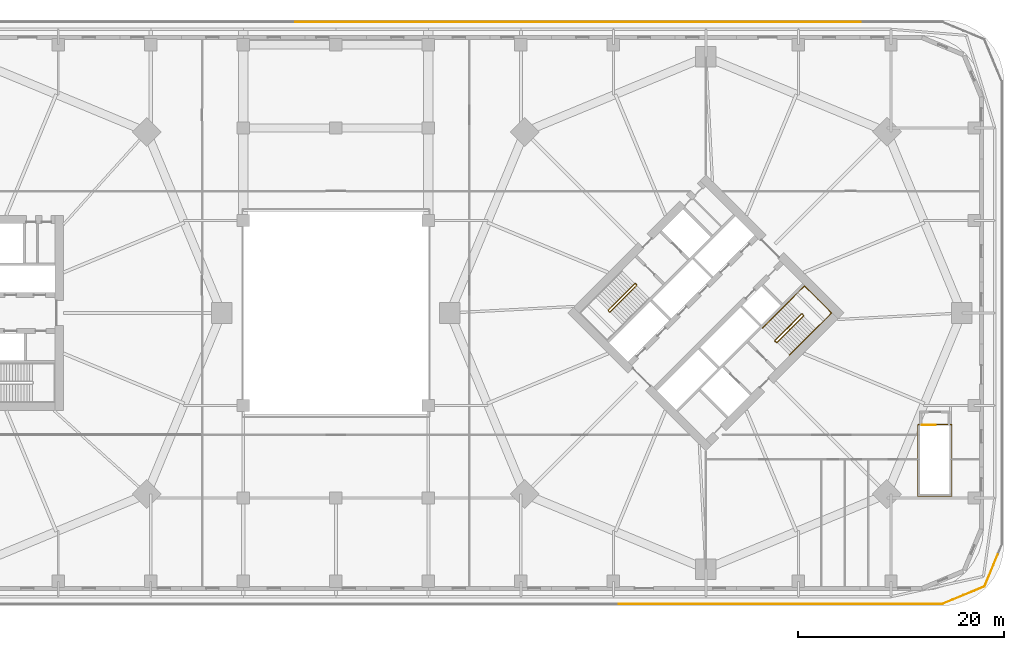
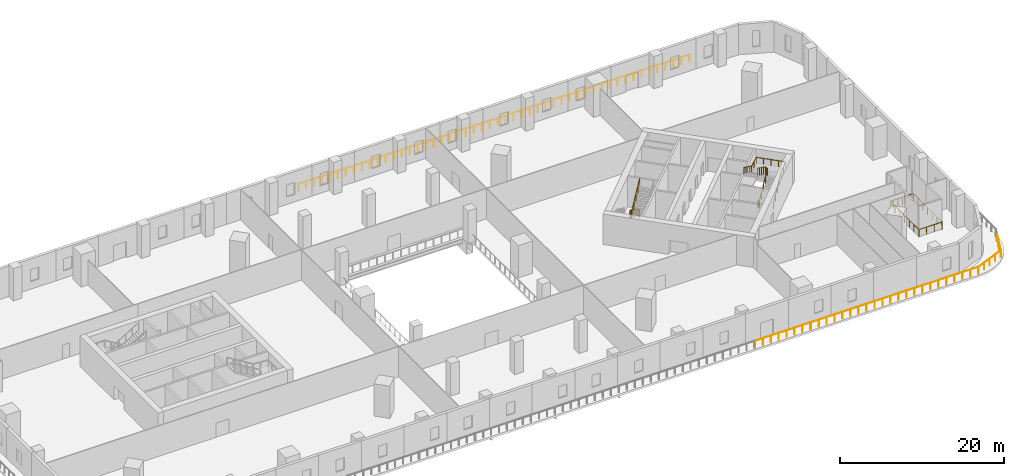
# One storey, part 15 of 16: 17 railings.
"""IFC4 building model written with IfcOpenShell, lengths in metres."""

from ifc_helpers import new_model, si_unit, direction, frame, origin, origin_2d, place, context, subcontext, project, spatial, circle, extrude, material, type_object, element, save


model = new_model("IFC4")

# Units and contexts
model_context = context("Model", 3, precision=1e-05, world=origin(), true_north=direction((0.0, 1.0)))
body_context = subcontext(model_context, "Body", "Model", "MODEL_VIEW")
ifc_project = project(units=[si_unit("LENGTHUNIT", "METRE"), si_unit("AREAUNIT", "SQUARE_METRE"), si_unit("VOLUMEUNIT", "CUBIC_METRE"), si_unit("PLANEANGLEUNIT", "RADIAN"), si_unit("MASSUNIT", "GRAM", prefix="KILO")], contexts=[model_context])

# Site, building, storey
site_placement = place(None, origin())
site = spatial("IfcSite", under=ifc_project, at=site_placement, CompositionType="ELEMENT")
building_placement = place(site_placement, origin())
building = spatial("IfcBuilding", under=site, at=building_placement, Name="Ogive Gate Towers", CompositionType="ELEMENT")
storey_placement = place(building_placement, frame((0.0, 0.0, 22.800048828125)))
storey = spatial("IfcBuildingStorey", under=building, at=storey_placement, Name="L04", CompositionType="ELEMENT", Elevation=22.800048828125)

# Railings
ifc_material_1 = material(Name="Stainless steel", Category="steel")
railing_type_1 = type_object("IfcRailingType", Name="Guard 1100", PredefinedType="GUARDRAIL", material=ifc_material_1)
railing_1_placement = place(storey_placement, frame((59.0, -28.300048828125, 0.0)))
element("IfcRailing", 1, at=railing_1_placement, inside=storey, type_object=railing_type_1, Name="Terrace guard", PredefinedType="GUARDRAIL", context=body_context, shape_type="SweptSolid", body=[
    extrude(circle(Radius=0.02392578125, at=origin_2d()), frame((0.0, 0.0, 1.076171875), z_axis=(0.923886797369, 0.382665892976, 0.0), x_axis=(-0.382665892976, 0.923886797369, 0.0)), (0.0, 0.0, 1.0), 4.439208984375),
    extrude(circle(Radius=0.02392578125, at=origin_2d()), frame((4.101318359375, 1.69873046875, 1.076171875), z_axis=(0.382654643892, 0.923891456562, 0.0), x_axis=(-0.923891456562, 0.382654643892, 0.0)), (0.0, 0.0, 1.0), 3.3701171875),
    extrude(circle(Radius=0.02099609375, at=origin_2d()), origin(), (0.0, 0.0, 1.0), 1.052001953125),
    extrude(circle(Radius=0.02099609375, at=origin_2d()), frame((1.025390625, 0.4248046875, 0.0)), (0.0, 0.0, 1.0), 1.052001953125),
    extrude(circle(Radius=0.02099609375, at=origin_2d()), frame((2.05078125, 0.849365234375, 0.0)), (0.0, 0.0, 1.0), 1.052001953125),
    extrude(circle(Radius=0.02099609375, at=origin_2d()), frame((3.075927734375, 1.27392578125, 0.0)), (0.0, 0.0, 1.0), 1.052001953125),
    extrude(circle(Radius=0.02099609375, at=origin_2d()), frame((4.101318359375, 1.69873046875, 0.0)), (0.0, 0.0, 1.0), 1.052001953125),
    extrude(circle(Radius=0.02099609375, at=origin_2d()), frame((4.53125, 2.736572265625, 0.0)), (0.0, 0.0, 1.0), 1.052001953125),
    extrude(circle(Radius=0.02099609375, at=origin_2d()), frame((4.9609375, 3.7744140625, 0.0)), (0.0, 0.0, 1.0), 1.052001953125),
    extrude(circle(Radius=0.02099609375, at=origin_2d()), frame((5.390869140625, 4.812255859375, 0.0)), (0.0, 0.0, 1.0), 1.052001953125),
])
railing_2_placement = place(storey_placement, frame((51.025634765625, 28.300048828125, 0.0)))
element("IfcRailing", 2, at=railing_2_placement, inside=storey, type_object=railing_type_1, Name="Terrace guard", PredefinedType="GUARDRAIL", context=body_context, shape_type="SweptSolid", body=[
    extrude(circle(Radius=0.02392578125, at=origin_2d()), frame((0.0, 0.0, 1.076171875), z_axis=(-1.0, 0.0, 0.0), x_axis=(0.0, -1.0, 0.0)), (0.0, 0.0, 1.0), 7.808837890625),
    extrude(circle(Radius=0.02099609375, at=origin_2d()), origin(), (0.0, 0.0, 1.0), 1.052001953125),
    extrude(circle(Radius=0.02099609375, at=origin_2d()), frame((-1.115478515625, 0.0, 0.0)), (0.0, 0.0, 1.0), 1.052001953125),
    extrude(circle(Radius=0.02099609375, at=origin_2d()), frame((-2.231201171875, 0.0, 0.0)), (0.0, 0.0, 1.0), 1.052001953125),
    extrude(circle(Radius=0.02099609375, at=origin_2d()), frame((-3.3466796875, 0.0, 0.0)), (0.0, 0.0, 1.0), 1.052001953125),
    extrude(circle(Radius=0.02099609375, at=origin_2d()), frame((-4.462158203125, 0.0, 0.0)), (0.0, 0.0, 1.0), 1.052001953125),
    extrude(circle(Radius=0.02099609375, at=origin_2d()), frame((-5.57763671875, 0.0, 0.0)), (0.0, 0.0, 1.0), 1.052001953125),
    extrude(circle(Radius=0.02099609375, at=origin_2d()), frame((-6.693359375, 0.0, 0.0)), (0.0, 0.0, 1.0), 1.052001953125),
    extrude(circle(Radius=0.02099609375, at=origin_2d()), frame((-7.808837890625, 0.0, 0.0)), (0.0, 0.0, 1.0), 1.052001953125),
])
railing_3_placement = place(storey_placement, frame((43.166748046875, 28.300048828125, 0.0)))
element("IfcRailing", 3, at=railing_3_placement, inside=storey, type_object=railing_type_1, Name="Terrace guard", PredefinedType="GUARDRAIL", context=body_context, shape_type="SweptSolid", body=[
    extrude(circle(Radius=0.02392578125, at=origin_2d()), frame((0.0, 0.0, 1.076171875), z_axis=(-1.0, 0.0, 0.0), x_axis=(0.0, -1.0, 0.0)), (0.0, 0.0, 1.0), 7.80908203125),
    extrude(circle(Radius=0.02099609375, at=origin_2d()), origin(), (0.0, 0.0, 1.0), 1.052001953125),
    extrude(circle(Radius=0.02099609375, at=origin_2d()), frame((-1.115478515625, 0.0, 0.0)), (0.0, 0.0, 1.0), 1.052001953125),
    extrude(circle(Radius=0.02099609375, at=origin_2d()), frame((-2.231201171875, 0.0, 0.0)), (0.0, 0.0, 1.0), 1.052001953125),
    extrude(circle(Radius=0.02099609375, at=origin_2d()), frame((-3.3466796875, 0.0, 0.0)), (0.0, 0.0, 1.0), 1.052001953125),
    extrude(circle(Radius=0.02099609375, at=origin_2d()), frame((-4.46240234375, 0.0, 0.0)), (0.0, 0.0, 1.0), 1.052001953125),
    extrude(circle(Radius=0.02099609375, at=origin_2d()), frame((-5.577880859375, 0.0, 0.0)), (0.0, 0.0, 1.0), 1.052001953125),
    extrude(circle(Radius=0.02099609375, at=origin_2d()), frame((-6.693603515625, 0.0, 0.0)), (0.0, 0.0, 1.0), 1.052001953125),
    extrude(circle(Radius=0.02099609375, at=origin_2d()), frame((-7.80908203125, 0.0, 0.0)), (0.0, 0.0, 1.0), 1.052001953125),
])
for number, where, name in (
    (4, (35.3076171875, 28.300048828125, 0.0), "Terrace guard"),
    (5, (27.44873046875, 28.300048828125, 0.0), "Terrace guard"),
):
    element("IfcRailing", number, at=place(storey_placement, frame(where)), inside=storey, type_object=railing_type_1, Name=name, PredefinedType="GUARDRAIL", context=body_context, shape_type="SweptSolid", body=[
        extrude(circle(Radius=0.02392578125, at=origin_2d()), frame((0.0, 0.0, 1.076171875), z_axis=(-1.0, 0.0, 0.0), x_axis=(0.0, -1.0, 0.0)), (0.0, 0.0, 1.0), 7.808837890625),
        extrude(circle(Radius=0.02099609375, at=origin_2d()), origin(), (0.0, 0.0, 1.0), 1.052001953125),
        extrude(circle(Radius=0.02099609375, at=origin_2d()), frame((-1.115478515625, 0.0, 0.0)), (0.0, 0.0, 1.0), 1.052001953125),
        extrude(circle(Radius=0.02099609375, at=origin_2d()), frame((-2.231201171875, 0.0, 0.0)), (0.0, 0.0, 1.0), 1.052001953125),
        extrude(circle(Radius=0.02099609375, at=origin_2d()), frame((-3.3466796875, 0.0, 0.0)), (0.0, 0.0, 1.0), 1.052001953125),
        extrude(circle(Radius=0.02099609375, at=origin_2d()), frame((-4.462158203125, 0.0, 0.0)), (0.0, 0.0, 1.0), 1.052001953125),
        extrude(circle(Radius=0.02099609375, at=origin_2d()), frame((-5.57763671875, 0.0, 0.0)), (0.0, 0.0, 1.0), 1.052001953125),
        extrude(circle(Radius=0.02099609375, at=origin_2d()), frame((-6.693359375, 0.0, 0.0)), (0.0, 0.0, 1.0), 1.052001953125),
        extrude(circle(Radius=0.02099609375, at=origin_2d()), frame((-7.808837890625, 0.0, 0.0)), (0.0, 0.0, 1.0), 1.052001953125),
    ])
railing_4_placement = place(storey_placement, frame((19.58984375, 28.300048828125, 0.0)))
element("IfcRailing", 6, at=railing_4_placement, inside=storey, type_object=railing_type_1, Name="Terrace guard", PredefinedType="GUARDRAIL", context=body_context, shape_type="SweptSolid", body=[
    extrude(circle(Radius=0.02392578125, at=origin_2d()), frame((0.0, 0.0, 1.076171875), z_axis=(-1.0, 0.0, 0.0), x_axis=(0.0, -1.0, 0.0)), (0.0, 0.0, 1.0), 7.80908203125),
    extrude(circle(Radius=0.02099609375, at=origin_2d()), origin(), (0.0, 0.0, 1.0), 1.052001953125),
    extrude(circle(Radius=0.02099609375, at=origin_2d()), frame((-1.115478515625, 0.0, 0.0)), (0.0, 0.0, 1.0), 1.052001953125),
    extrude(circle(Radius=0.02099609375, at=origin_2d()), frame((-2.231201171875, 0.0, 0.0)), (0.0, 0.0, 1.0), 1.052001953125),
    extrude(circle(Radius=0.02099609375, at=origin_2d()), frame((-3.3466796875, 0.0, 0.0)), (0.0, 0.0, 1.0), 1.052001953125),
    extrude(circle(Radius=0.02099609375, at=origin_2d()), frame((-4.46240234375, 0.0, 0.0)), (0.0, 0.0, 1.0), 1.052001953125),
    extrude(circle(Radius=0.02099609375, at=origin_2d()), frame((-5.577880859375, 0.0, 0.0)), (0.0, 0.0, 1.0), 1.052001953125),
    extrude(circle(Radius=0.02099609375, at=origin_2d()), frame((-6.693603515625, 0.0, 0.0)), (0.0, 0.0, 1.0), 1.052001953125),
    extrude(circle(Radius=0.02099609375, at=origin_2d()), frame((-7.80908203125, 0.0, 0.0)), (0.0, 0.0, 1.0), 1.052001953125),
])
railing_5_placement = place(storey_placement, frame((11.730712890625, 28.300048828125, 0.0)))
element("IfcRailing", 7, at=railing_5_placement, inside=storey, type_object=railing_type_1, Name="Terrace guard", PredefinedType="GUARDRAIL", context=body_context, shape_type="SweptSolid", body=[
    extrude(circle(Radius=0.02392578125, at=origin_2d()), frame((0.0, 0.0, 1.076171875), z_axis=(-1.0, 0.0, 0.0), x_axis=(0.0, -1.0, 0.0)), (0.0, 0.0, 1.0), 7.808837890625),
    extrude(circle(Radius=0.02099609375, at=origin_2d()), origin(), (0.0, 0.0, 1.0), 1.052001953125),
    extrude(circle(Radius=0.02099609375, at=origin_2d()), frame((-1.115478515625, 0.0, 0.0)), (0.0, 0.0, 1.0), 1.052001953125),
    extrude(circle(Radius=0.02099609375, at=origin_2d()), frame((-2.231201171875, 0.0, 0.0)), (0.0, 0.0, 1.0), 1.052001953125),
    extrude(circle(Radius=0.02099609375, at=origin_2d()), frame((-3.3466796875, 0.0, 0.0)), (0.0, 0.0, 1.0), 1.052001953125),
    extrude(circle(Radius=0.02099609375, at=origin_2d()), frame((-4.462158203125, 0.0, 0.0)), (0.0, 0.0, 1.0), 1.052001953125),
    extrude(circle(Radius=0.02099609375, at=origin_2d()), frame((-5.57763671875, 0.0, 0.0)), (0.0, 0.0, 1.0), 1.052001953125),
    extrude(circle(Radius=0.02099609375, at=origin_2d()), frame((-6.693359375, 0.0, 0.0)), (0.0, 0.0, 1.0), 1.052001953125),
    extrude(circle(Radius=0.02099609375, at=origin_2d()), frame((-7.808837890625, 0.0, 0.0)), (0.0, 0.0, 1.0), 1.052001953125),
])
railing_6_placement = place(storey_placement, frame((3.871826171875, 28.300048828125, 0.0)))
element("IfcRailing", 8, at=railing_6_placement, inside=storey, type_object=railing_type_1, Name="Terrace guard", PredefinedType="GUARDRAIL", context=body_context, shape_type="SweptSolid", body=[
    extrude(circle(Radius=0.02392578125, at=origin_2d()), frame((0.0, 0.0, 1.076171875), z_axis=(-1.0, 0.0, 0.0), x_axis=(0.0, -1.0, 0.0)), (0.0, 0.0, 1.0), 7.80908203125),
    extrude(circle(Radius=0.02099609375, at=origin_2d()), origin(), (0.0, 0.0, 1.0), 1.052001953125),
    extrude(circle(Radius=0.02099609375, at=origin_2d()), frame((-1.115478515625, 0.0, 0.0)), (0.0, 0.0, 1.0), 1.052001953125),
    extrude(circle(Radius=0.02099609375, at=origin_2d()), frame((-2.231201171875, 0.0, 0.0)), (0.0, 0.0, 1.0), 1.052001953125),
    extrude(circle(Radius=0.02099609375, at=origin_2d()), frame((-3.3466796875, 0.0, 0.0)), (0.0, 0.0, 1.0), 1.052001953125),
    extrude(circle(Radius=0.02099609375, at=origin_2d()), frame((-4.46240234375, 0.0, 0.0)), (0.0, 0.0, 1.0), 1.052001953125),
    extrude(circle(Radius=0.02099609375, at=origin_2d()), frame((-5.577880859375, 0.0, 0.0)), (0.0, 0.0, 1.0), 1.052001953125),
    extrude(circle(Radius=0.02099609375, at=origin_2d()), frame((-6.693603515625, 0.0, 0.0)), (0.0, 0.0, 1.0), 1.052001953125),
    extrude(circle(Radius=0.02099609375, at=origin_2d()), frame((-7.80908203125, 0.0, 0.0)), (0.0, 0.0, 1.0), 1.052001953125),
])
for number, where, name in (
    (9, (27.564208984375, -28.300048828125, 0.0), "Terrace guard"),
    (10, (35.423095703125, -28.300048828125, 0.0), "Terrace guard"),
):
    element("IfcRailing", number, at=place(storey_placement, frame(where)), inside=storey, type_object=railing_type_1, Name=name, PredefinedType="GUARDRAIL", context=body_context, shape_type="SweptSolid", body=[
        extrude(circle(Radius=0.02392578125, at=origin_2d()), frame((0.0, 0.0, 1.076171875), z_axis=(1.0, 0.0, 0.0), x_axis=(0.0, 1.0, 0.0)), (0.0, 0.0, 1.0), 7.808837890625),
        extrude(circle(Radius=0.02099609375, at=origin_2d()), origin(), (0.0, 0.0, 1.0), 1.052001953125),
        extrude(circle(Radius=0.02099609375, at=origin_2d()), frame((1.115478515625, 0.0, 0.0)), (0.0, 0.0, 1.0), 1.052001953125),
        extrude(circle(Radius=0.02099609375, at=origin_2d()), frame((2.231201171875, 0.0, 0.0)), (0.0, 0.0, 1.0), 1.052001953125),
        extrude(circle(Radius=0.02099609375, at=origin_2d()), frame((3.3466796875, 0.0, 0.0)), (0.0, 0.0, 1.0), 1.052001953125),
        extrude(circle(Radius=0.02099609375, at=origin_2d()), frame((4.462158203125, 0.0, 0.0)), (0.0, 0.0, 1.0), 1.052001953125),
        extrude(circle(Radius=0.02099609375, at=origin_2d()), frame((5.57763671875, 0.0, 0.0)), (0.0, 0.0, 1.0), 1.052001953125),
        extrude(circle(Radius=0.02099609375, at=origin_2d()), frame((6.693359375, 0.0, 0.0)), (0.0, 0.0, 1.0), 1.052001953125),
        extrude(circle(Radius=0.02099609375, at=origin_2d()), frame((7.808837890625, 0.0, 0.0)), (0.0, 0.0, 1.0), 1.052001953125),
    ])
railing_7_placement = place(storey_placement, frame((43.281982421875, -28.300048828125, 0.0)))
element("IfcRailing", 11, at=railing_7_placement, inside=storey, type_object=railing_type_1, Name="Terrace guard", PredefinedType="GUARDRAIL", context=body_context, shape_type="SweptSolid", body=[
    extrude(circle(Radius=0.02392578125, at=origin_2d()), frame((0.0, 0.0, 1.076171875), z_axis=(1.0, 0.0, 0.0), x_axis=(0.0, 1.0, 0.0)), (0.0, 0.0, 1.0), 7.80908203125),
    extrude(circle(Radius=0.02099609375, at=origin_2d()), origin(), (0.0, 0.0, 1.0), 1.052001953125),
    extrude(circle(Radius=0.02099609375, at=origin_2d()), frame((1.115478515625, 0.0, 0.0)), (0.0, 0.0, 1.0), 1.052001953125),
    extrude(circle(Radius=0.02099609375, at=origin_2d()), frame((2.231201171875, 0.0, 0.0)), (0.0, 0.0, 1.0), 1.052001953125),
    extrude(circle(Radius=0.02099609375, at=origin_2d()), frame((3.3466796875, 0.0, 0.0)), (0.0, 0.0, 1.0), 1.052001953125),
    extrude(circle(Radius=0.02099609375, at=origin_2d()), frame((4.46240234375, 0.0, 0.0)), (0.0, 0.0, 1.0), 1.052001953125),
    extrude(circle(Radius=0.02099609375, at=origin_2d()), frame((5.577880859375, 0.0, 0.0)), (0.0, 0.0, 1.0), 1.052001953125),
    extrude(circle(Radius=0.02099609375, at=origin_2d()), frame((6.693603515625, 0.0, 0.0)), (0.0, 0.0, 1.0), 1.052001953125),
    extrude(circle(Radius=0.02099609375, at=origin_2d()), frame((7.80908203125, 0.0, 0.0)), (0.0, 0.0, 1.0), 1.052001953125),
])
railing_8_placement = place(storey_placement, frame((51.14111328125, -28.300048828125, 0.0)))
element("IfcRailing", 12, at=railing_8_placement, inside=storey, type_object=railing_type_1, Name="Terrace guard", PredefinedType="GUARDRAIL", context=body_context, shape_type="SweptSolid", body=[
    extrude(circle(Radius=0.02392578125, at=origin_2d()), frame((0.0, 0.0, 1.076171875), z_axis=(1.0, 0.0, 0.0), x_axis=(0.0, 1.0, 0.0)), (0.0, 0.0, 1.0), 7.808837890625),
    extrude(circle(Radius=0.02099609375, at=origin_2d()), origin(), (0.0, 0.0, 1.0), 1.052001953125),
    extrude(circle(Radius=0.02099609375, at=origin_2d()), frame((1.115478515625, 0.0, 0.0)), (0.0, 0.0, 1.0), 1.052001953125),
    extrude(circle(Radius=0.02099609375, at=origin_2d()), frame((2.231201171875, 0.0, 0.0)), (0.0, 0.0, 1.0), 1.052001953125),
    extrude(circle(Radius=0.02099609375, at=origin_2d()), frame((3.3466796875, 0.0, 0.0)), (0.0, 0.0, 1.0), 1.052001953125),
    extrude(circle(Radius=0.02099609375, at=origin_2d()), frame((4.462158203125, 0.0, 0.0)), (0.0, 0.0, 1.0), 1.052001953125),
    extrude(circle(Radius=0.02099609375, at=origin_2d()), frame((5.57763671875, 0.0, 0.0)), (0.0, 0.0, 1.0), 1.052001953125),
    extrude(circle(Radius=0.02099609375, at=origin_2d()), frame((6.693359375, 0.0, 0.0)), (0.0, 0.0, 1.0), 1.052001953125),
    extrude(circle(Radius=0.02099609375, at=origin_2d()), frame((7.808837890625, 0.0, 0.0)), (0.0, 0.0, 1.0), 1.052001953125),
])
ifc_material_2 = material(Name="Steel and glass guard", Category="steel")
railing_type_2 = type_object("IfcRailingType", Name="Podium stair guard 1100", PredefinedType="GUARDRAIL", material=ifc_material_2)
railing_9_placement = place(storey_placement, frame((57.0, -10.89990234375, 0.0)))
element("IfcRailing", 13, at=railing_9_placement, inside=storey, type_object=railing_type_2, Name="L04 PS2 top well guard 1", PredefinedType="GUARDRAIL", context=body_context, shape_type="SweptSolid", body=[
    extrude(circle(Radius=0.02392578125, at=origin_2d()), frame((0.0, 0.0, 1.076171875), z_axis=(1.0, 0.0, 0.0), x_axis=(0.0, 1.0, 0.0)), (0.0, 0.0, 1.0), 1.35009765625),
    extrude(circle(Radius=0.02099609375, at=origin_2d()), origin(), (0.0, 0.0, 1.0), 1.052001953125),
    extrude(circle(Radius=0.02099609375, at=origin_2d()), frame((0.675048828125, 0.0, 0.0)), (0.0, 0.0, 1.0), 1.052001953125),
    extrude(circle(Radius=0.02099609375, at=origin_2d()), frame((1.35009765625, 0.0, 0.0)), (0.0, 0.0, 1.0), 1.052001953125),
])
railing_type_3 = type_object("IfcRailingType", Name="Stair guard 1100", PredefinedType="GUARDRAIL", material=ifc_material_1)
railing_10_placement = place(storey_placement, frame((29.15869140625, 2.8603515625, 0.0)))
element("IfcRailing", 14, at=railing_10_placement, inside=storey, type_object=railing_type_3, Name="L04 ST1 stair guard 1", PredefinedType="GUARDRAIL", context=body_context, shape_type="SweptSolid", body=[
    extrude(circle(Radius=0.02392578125, at=origin_2d()), frame((0.0, 0.0, 1.076171875), z_axis=(0.707106781187, -0.707106781187, 0.0), x_axis=(0.707106781187, 0.707106781187, 0.0)), (0.0, 0.0, 1.0), 0.14501953125),
    extrude(circle(Radius=0.02392578125, at=origin_2d()), frame((0.1025390625, -0.1025390625, 1.076171875), z_axis=(-0.65494335095, 0.387977725527, 0.648477055524), x_axis=(-0.509669330572, -0.860370369942, 0.0)), (0.0, 0.0, 1.0), 0.264404296875),
    extrude(circle(Radius=0.02392578125, at=origin_2d()), frame((-0.070556640625, 0.0, 1.24755859375), z_axis=(-0.603067823642, -0.603067823642, 0.522128719929), x_axis=(0.707106781187, -0.707106781187, 0.0)), (0.0, 0.0, 1.0), 4.26806640625),
    extrude(circle(Radius=0.02392578125, at=origin_2d()), frame((-2.64453125, -2.573974609375, 3.47607421875), z_axis=(0.0, -1.0, 0.0), x_axis=(1.0, 0.0, 0.0)), (0.0, 0.0, 1.0), 0.07080078125),
    extrude(circle(Radius=0.02392578125, at=origin_2d()), frame((-2.64453125, -2.644775390625, 3.47607421875), z_axis=(0.707106781187, -0.707106781187, 0.0), x_axis=(0.707106781187, 0.707106781187, 0.0)), (0.0, 0.0, 1.0), 0.14501953125),
    extrude(circle(Radius=0.02392578125, at=origin_2d()), frame((-2.5419921875, -2.747314453125, 3.47607421875), z_axis=(0.381809054019, 0.0, 0.924241227315), x_axis=(0.0, 1.0, 0.0)), (0.0, 0.0, 1.0), 0.185546875),
    extrude(circle(Radius=0.02392578125, at=origin_2d()), frame((-2.47119140625, -2.747314453125, 3.6474609375), z_axis=(0.603013412715, 0.60307061376, 0.522188336623), x_axis=(-0.707140316402, 0.707073244381, 0.0)), (0.0, 0.0, 1.0), 4.26806640625),
    extrude(circle(Radius=0.02099609375, at=origin_2d()), origin(), (0.0, 0.0, 1.0), 1.052001953125),
    extrude(circle(Radius=0.02099609375, at=origin_2d()), frame((0.1025390625, -0.1025390625, 0.0)), (0.0, 0.0, 1.0), 1.052001953125),
    extrude(circle(Radius=0.02099609375, at=origin_2d()), frame((-0.070556640625, 0.0, 0.17138671875)), (0.0, 0.0, 1.0), 1.052001953125),
    extrude(circle(Radius=0.02099609375, at=origin_2d()), frame((-0.714111328125, -0.6435546875, 0.728515625)), (0.0, 0.0, 1.0), 1.052001953125),
    extrude(circle(Radius=0.02099609375, at=origin_2d()), frame((-1.357421875, -1.287109375, 1.28564453125)), (0.0, 0.0, 1.0), 1.052001953125),
    extrude(circle(Radius=0.02099609375, at=origin_2d()), frame((-2.0009765625, -1.930419921875, 1.8427734375)), (0.0, 0.0, 1.0), 1.052001953125),
    extrude(circle(Radius=0.02099609375, at=origin_2d()), frame((-2.64453125, -2.573974609375, 2.39990234375)), (0.0, 0.0, 1.0), 1.052001953125),
    extrude(circle(Radius=0.02099609375, at=origin_2d()), frame((-2.64453125, -2.644775390625, 2.39990234375)), (0.0, 0.0, 1.0), 1.052001953125),
    extrude(circle(Radius=0.02099609375, at=origin_2d()), frame((-2.5419921875, -2.747314453125, 2.39990234375)), (0.0, 0.0, 1.0), 1.052001953125),
    extrude(circle(Radius=0.02099609375, at=origin_2d()), frame((-2.47119140625, -2.747314453125, 2.5712890625)), (0.0, 0.0, 1.0), 1.052001953125),
    extrude(circle(Radius=0.02099609375, at=origin_2d()), frame((-1.82763671875, -2.103759765625, 3.12841796875)), (0.0, 0.0, 1.0), 1.052001953125),
    extrude(circle(Radius=0.02099609375, at=origin_2d()), frame((-1.184326171875, -1.46044921875, 3.685546875)), (0.0, 0.0, 1.0), 1.052001953125),
    extrude(circle(Radius=0.02099609375, at=origin_2d()), frame((-0.541015625, -0.81689453125, 4.242919921875)), (0.0, 0.0, 1.0), 1.052001953125),
    extrude(circle(Radius=0.02099609375, at=origin_2d()), frame((0.1025390625, -0.17333984375, 4.800048828125)), (0.0, 0.0, 1.0), 1.052001953125),
])
railing_11_placement = place(storey_placement, frame((42.84130859375, -2.8603515625, 0.0)))
element("IfcRailing", 15, at=railing_11_placement, inside=storey, type_object=railing_type_3, Name="L04 ST2 stair guard 1", PredefinedType="GUARDRAIL", context=body_context, shape_type="SweptSolid", body=[
    extrude(circle(Radius=0.02392578125, at=origin_2d()), frame((0.0, 0.0, 1.076171875), z_axis=(-0.707106781187, 0.707106781187, 0.0), x_axis=(-0.707106781187, -0.707106781187, 0.0)), (0.0, 0.0, 1.0), 0.14501953125),
    extrude(circle(Radius=0.02392578125, at=origin_2d()), frame((-0.1025390625, 0.1025390625, 1.076171875), z_axis=(0.65494335095, -0.387977725527, 0.648477055524), x_axis=(0.509669330572, 0.860370369942, 0.0)), (0.0, 0.0, 1.0), 0.264404296875),
    extrude(circle(Radius=0.02392578125, at=origin_2d()), frame((0.070556640625, 0.0, 1.24755859375), z_axis=(0.603067823642, 0.603067823642, 0.522128719929), x_axis=(-0.707106781187, 0.707106781187, 0.0)), (0.0, 0.0, 1.0), 4.26806640625),
    extrude(circle(Radius=0.02392578125, at=origin_2d()), frame((2.64453125, 2.573974609375, 3.47607421875), z_axis=(0.0, 1.0, 0.0), x_axis=(-1.0, 0.0, 0.0)), (0.0, 0.0, 1.0), 0.07080078125),
    extrude(circle(Radius=0.02392578125, at=origin_2d()), frame((2.64453125, 2.644775390625, 3.47607421875), z_axis=(-0.707106781187, 0.707106781187, 0.0), x_axis=(-0.707106781187, -0.707106781187, 0.0)), (0.0, 0.0, 1.0), 0.14501953125),
    extrude(circle(Radius=0.02392578125, at=origin_2d()), frame((2.5419921875, 2.747314453125, 3.47607421875), z_axis=(-0.381809054019, 0.0, 0.924241227315), x_axis=(0.0, -1.0, 0.0)), (0.0, 0.0, 1.0), 0.185546875),
    extrude(circle(Radius=0.02392578125, at=origin_2d()), frame((2.47119140625, 2.747314453125, 3.6474609375), z_axis=(-0.603013412715, -0.60307061376, 0.522188336623), x_axis=(0.707140316402, -0.707073244381, 0.0)), (0.0, 0.0, 1.0), 4.26806640625),
    extrude(circle(Radius=0.02099609375, at=origin_2d()), origin(), (0.0, 0.0, 1.0), 1.052001953125),
    extrude(circle(Radius=0.02099609375, at=origin_2d()), frame((-0.1025390625, 0.1025390625, 0.0)), (0.0, 0.0, 1.0), 1.052001953125),
    extrude(circle(Radius=0.02099609375, at=origin_2d()), frame((0.070556640625, 0.0, 0.17138671875)), (0.0, 0.0, 1.0), 1.052001953125),
    extrude(circle(Radius=0.02099609375, at=origin_2d()), frame((0.714111328125, 0.6435546875, 0.728515625)), (0.0, 0.0, 1.0), 1.052001953125),
    extrude(circle(Radius=0.02099609375, at=origin_2d()), frame((1.357421875, 1.287109375, 1.28564453125)), (0.0, 0.0, 1.0), 1.052001953125),
    extrude(circle(Radius=0.02099609375, at=origin_2d()), frame((2.0009765625, 1.930419921875, 1.8427734375)), (0.0, 0.0, 1.0), 1.052001953125),
    extrude(circle(Radius=0.02099609375, at=origin_2d()), frame((2.64453125, 2.573974609375, 2.39990234375)), (0.0, 0.0, 1.0), 1.052001953125),
    extrude(circle(Radius=0.02099609375, at=origin_2d()), frame((2.64453125, 2.644775390625, 2.39990234375)), (0.0, 0.0, 1.0), 1.052001953125),
    extrude(circle(Radius=0.02099609375, at=origin_2d()), frame((2.5419921875, 2.747314453125, 2.39990234375)), (0.0, 0.0, 1.0), 1.052001953125),
    extrude(circle(Radius=0.02099609375, at=origin_2d()), frame((2.47119140625, 2.747314453125, 2.5712890625)), (0.0, 0.0, 1.0), 1.052001953125),
    extrude(circle(Radius=0.02099609375, at=origin_2d()), frame((1.82763671875, 2.103759765625, 3.12841796875)), (0.0, 0.0, 1.0), 1.052001953125),
    extrude(circle(Radius=0.02099609375, at=origin_2d()), frame((1.184326171875, 1.46044921875, 3.685546875)), (0.0, 0.0, 1.0), 1.052001953125),
    extrude(circle(Radius=0.02099609375, at=origin_2d()), frame((0.541015625, 0.81689453125, 4.242919921875)), (0.0, 0.0, 1.0), 1.052001953125),
    extrude(circle(Radius=0.02099609375, at=origin_2d()), frame((-0.1025390625, 0.17333984375, 4.800048828125)), (0.0, 0.0, 1.0), 1.052001953125),
])
railing_type_4 = type_object("IfcRailingType", Name="Stair handrail 900", PredefinedType="HANDRAIL", material=ifc_material_1)
railing_12_placement = place(storey_placement, frame((44.142333984375, -4.090576171875, 0.17138671875)))
element("IfcRailing", 16, at=railing_12_placement, inside=storey, type_object=railing_type_4, Name="L04 ST2 stair handrail 1", PredefinedType="HANDRAIL", context=body_context, shape_type="SweptSolid", body=[
    extrude(circle(Radius=0.02392578125, at=origin_2d()), frame((0.0, 0.0, 0.8759765625), z_axis=(0.60308862713, 0.603031424376, 0.522146731333), x_axis=(-0.707073244381, 0.707140316402, 0.0)), (0.0, 0.0, 1.0), 4.26806640625),
    extrude(circle(Radius=0.02392578125, at=origin_2d()), frame((2.573974609375, 2.57373046875, 3.1044921875), z_axis=(0.707049868894, 0.707163688899, 0.0), x_axis=(-0.707163688899, 0.707049868894, 0.0)), (0.0, 0.0, 1.0), 2.14501953125),
    extrude(circle(Radius=0.02392578125, at=origin_2d()), frame((4.090576171875, 4.090576171875, 3.1044921875), z_axis=(-0.707106781187, 0.707106781187, 0.0), x_axis=(-0.707106781187, -0.707106781187, 0.0)), (0.0, 0.0, 1.0), 3.72509765625),
    extrude(circle(Radius=0.02392578125, at=origin_2d()), frame((1.45654296875, 6.724609375, 3.1044921875), z_axis=(-0.704803619142, -0.704917077548, 0.079647801133), x_axis=(0.707163688899, -0.707049868894, 0.0)), (0.0, 0.0, 1.0), 2.15185546875),
    extrude(circle(Radius=0.02392578125, at=origin_2d()), frame((-0.06005859375, 5.207763671875, 3.27587890625), z_axis=(-0.60307061376, -0.603013412715, 0.522188336623), x_axis=(0.707073244381, -0.707140316402, 0.0)), (0.0, 0.0, 1.0), 4.26806640625),
    extrude(circle(Radius=0.02099609375, at=origin_2d()), origin(), (0.0, 0.0, 1.0), 0.851806640625),
    extrude(circle(Radius=0.02099609375, at=origin_2d()), frame((0.6435546875, 0.6435546875, 0.55712890625)), (0.0, 0.0, 1.0), 0.851806640625),
    extrude(circle(Radius=0.02099609375, at=origin_2d()), frame((1.287109375, 1.286865234375, 1.1142578125)), (0.0, 0.0, 1.0), 0.851806640625),
    extrude(circle(Radius=0.02099609375, at=origin_2d()), frame((1.930419921875, 1.93017578125, 1.67138671875)), (0.0, 0.0, 1.0), 0.851806640625),
    extrude(circle(Radius=0.02099609375, at=origin_2d()), frame((2.573974609375, 2.57373046875, 2.228515625)), (0.0, 0.0, 1.0), 0.851806640625),
    extrude(circle(Radius=0.02099609375, at=origin_2d()), frame((3.332275390625, 3.33203125, 2.228515625)), (0.0, 0.0, 1.0), 0.851806640625),
    extrude(circle(Radius=0.02099609375, at=origin_2d()), frame((4.090576171875, 4.090576171875, 2.228515625)), (0.0, 0.0, 1.0), 0.851806640625),
    extrude(circle(Radius=0.02099609375, at=origin_2d()), frame((3.43212890625, 4.7490234375, 2.228515625)), (0.0, 0.0, 1.0), 0.851806640625),
    extrude(circle(Radius=0.02099609375, at=origin_2d()), frame((2.7734375, 5.40771484375, 2.228515625)), (0.0, 0.0, 1.0), 0.851806640625),
    extrude(circle(Radius=0.02099609375, at=origin_2d()), frame((2.114990234375, 6.066162109375, 2.228515625)), (0.0, 0.0, 1.0), 0.851806640625),
    extrude(circle(Radius=0.02099609375, at=origin_2d()), frame((1.45654296875, 6.724609375, 2.228515625)), (0.0, 0.0, 1.0), 0.851806640625),
    extrude(circle(Radius=0.02099609375, at=origin_2d()), frame((0.6982421875, 5.96630859375, 2.314208984375)), (0.0, 0.0, 1.0), 0.851806640625),
    extrude(circle(Radius=0.02099609375, at=origin_2d()), frame((-0.06005859375, 5.207763671875, 2.39990234375)), (0.0, 0.0, 1.0), 0.851806640625),
    extrude(circle(Radius=0.02099609375, at=origin_2d()), frame((-0.70361328125, 4.564453125, 2.95703125)), (0.0, 0.0, 1.0), 0.851806640625),
    extrude(circle(Radius=0.02099609375, at=origin_2d()), frame((-1.34716796875, 3.9208984375, 3.51416015625)), (0.0, 0.0, 1.0), 0.851806640625),
    extrude(circle(Radius=0.02099609375, at=origin_2d()), frame((-1.990478515625, 3.27734375, 4.071533203125)), (0.0, 0.0, 1.0), 0.851806640625),
    extrude(circle(Radius=0.02099609375, at=origin_2d()), frame((-2.634033203125, 2.634033203125, 4.628662109375)), (0.0, 0.0, 1.0), 0.851806640625),
])
railing_type_5 = type_object("IfcRailingType", Name="Void guard 1100", PredefinedType="GUARDRAIL", material=ifc_material_2)
railing_13_placement = place(storey_placement, frame((59.89990234375, -17.820068359375, 0.0)))
element("IfcRailing", 17, at=railing_13_placement, inside=storey, type_object=railing_type_5, Name="L04 nave guard", PredefinedType="GUARDRAIL", context=body_context, shape_type="SweptSolid", body=[
    extrude(circle(Radius=0.02392578125, at=origin_2d()), frame((0.0, 0.0, 1.076171875), z_axis=(-1.0, 0.0, 0.0), x_axis=(0.0, -1.0, 0.0)), (0.0, 0.0, 1.0), 3.25),
    extrude(circle(Radius=0.02392578125, at=origin_2d()), frame((-3.25, 0.0, 1.076171875), z_axis=(0.0, 1.0, 0.0), x_axis=(-1.0, 0.0, 0.0)), (0.0, 0.0, 1.0), 6.955078125),
    extrude(circle(Radius=0.02392578125, at=origin_2d()), frame((-3.25, 6.955078125, 1.076171875), z_axis=(1.0, 0.0, 0.0), x_axis=(0.0, 1.0, 0.0)), (0.0, 0.0, 1.0), 3.25),
    extrude(circle(Radius=0.02392578125, at=origin_2d()), frame((0.0, 6.955078125, 1.076171875), z_axis=(0.0, -1.0, 0.0), x_axis=(1.0, 0.0, 0.0)), (0.0, 0.0, 1.0), 6.885009765625),
    extrude(circle(Radius=0.02099609375, at=origin_2d()), origin(), (0.0, 0.0, 1.0), 1.052001953125),
    extrude(circle(Radius=0.02099609375, at=origin_2d()), frame((-1.083251953125, 0.0, 0.0)), (0.0, 0.0, 1.0), 1.052001953125),
    extrude(circle(Radius=0.02099609375, at=origin_2d()), frame((-2.166748046875, 0.0, 0.0)), (0.0, 0.0, 1.0), 1.052001953125),
    extrude(circle(Radius=0.02099609375, at=origin_2d()), frame((-3.25, 0.0, 0.0)), (0.0, 0.0, 1.0), 1.052001953125),
    extrude(circle(Radius=0.02099609375, at=origin_2d()), frame((-3.25, 1.1591796875, 0.0)), (0.0, 0.0, 1.0), 1.052001953125),
    extrude(circle(Radius=0.02099609375, at=origin_2d()), frame((-3.25, 2.318359375, 0.0)), (0.0, 0.0, 1.0), 1.052001953125),
    extrude(circle(Radius=0.02099609375, at=origin_2d()), frame((-3.25, 3.4775390625, 0.0)), (0.0, 0.0, 1.0), 1.052001953125),
    extrude(circle(Radius=0.02099609375, at=origin_2d()), frame((-3.25, 4.63671875, 0.0)), (0.0, 0.0, 1.0), 1.052001953125),
    extrude(circle(Radius=0.02099609375, at=origin_2d()), frame((-3.25, 5.7958984375, 0.0)), (0.0, 0.0, 1.0), 1.052001953125),
    extrude(circle(Radius=0.02099609375, at=origin_2d()), frame((-3.25, 6.955078125, 0.0)), (0.0, 0.0, 1.0), 1.052001953125),
    extrude(circle(Radius=0.02099609375, at=origin_2d()), frame((-2.166748046875, 6.955078125, 0.0)), (0.0, 0.0, 1.0), 1.052001953125),
    extrude(circle(Radius=0.02099609375, at=origin_2d()), frame((-1.083251953125, 6.955078125, 0.0)), (0.0, 0.0, 1.0), 1.052001953125),
    extrude(circle(Radius=0.02099609375, at=origin_2d()), frame((0.0, 6.955078125, 0.0)), (0.0, 0.0, 1.0), 1.052001953125),
    extrude(circle(Radius=0.02099609375, at=origin_2d()), frame((0.0, 5.8076171875, 0.0)), (0.0, 0.0, 1.0), 1.052001953125),
    extrude(circle(Radius=0.02099609375, at=origin_2d()), frame((0.0, 4.66015625, 0.0)), (0.0, 0.0, 1.0), 1.052001953125),
    extrude(circle(Radius=0.02099609375, at=origin_2d()), frame((0.0, 3.5126953125, 0.0)), (0.0, 0.0, 1.0), 1.052001953125),
    extrude(circle(Radius=0.02099609375, at=origin_2d()), frame((0.0, 2.364990234375, 0.0)), (0.0, 0.0, 1.0), 1.052001953125),
    extrude(circle(Radius=0.02099609375, at=origin_2d()), frame((0.0, 1.217529296875, 0.0)), (0.0, 0.0, 1.0), 1.052001953125),
    extrude(circle(Radius=0.02099609375, at=origin_2d()), frame((0.0, 0.070068359375, 0.0)), (0.0, 0.0, 1.0), 1.052001953125),
])

save(model, "model.ifc")
